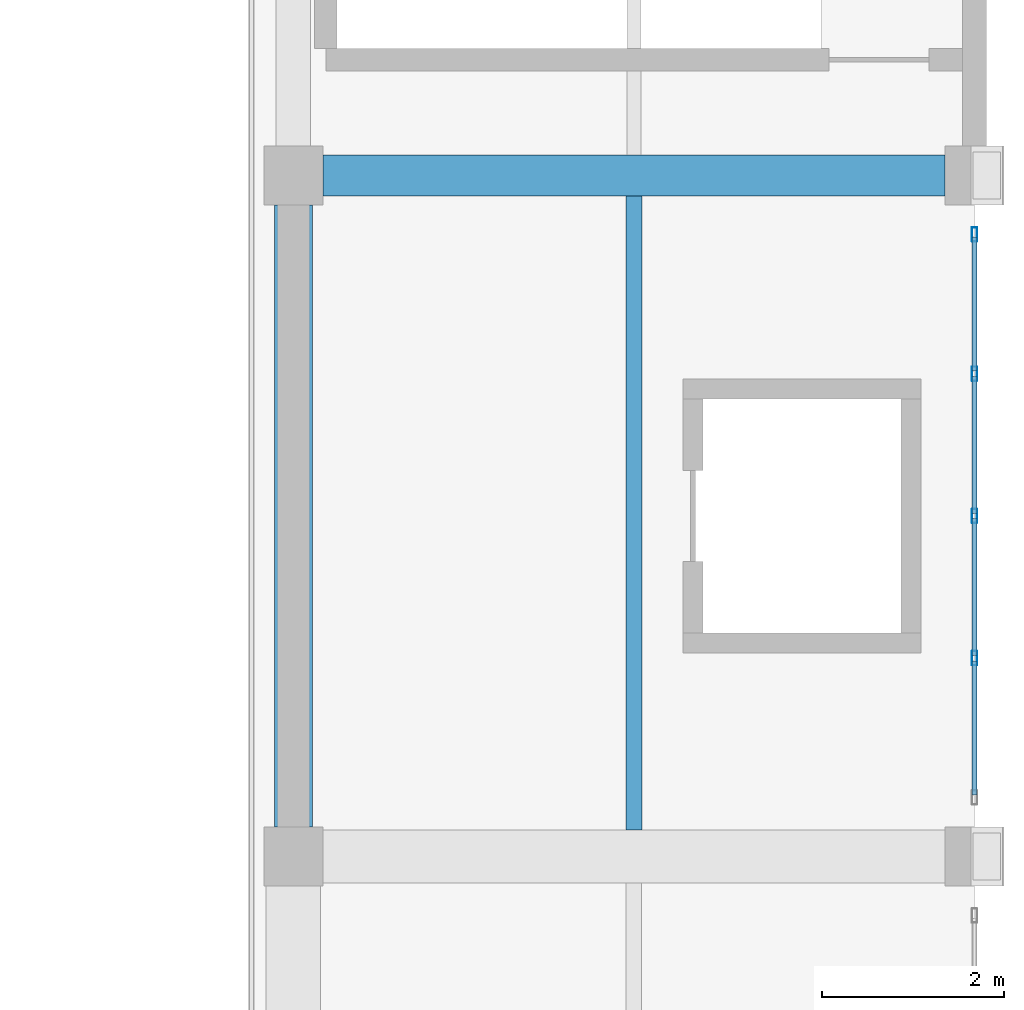
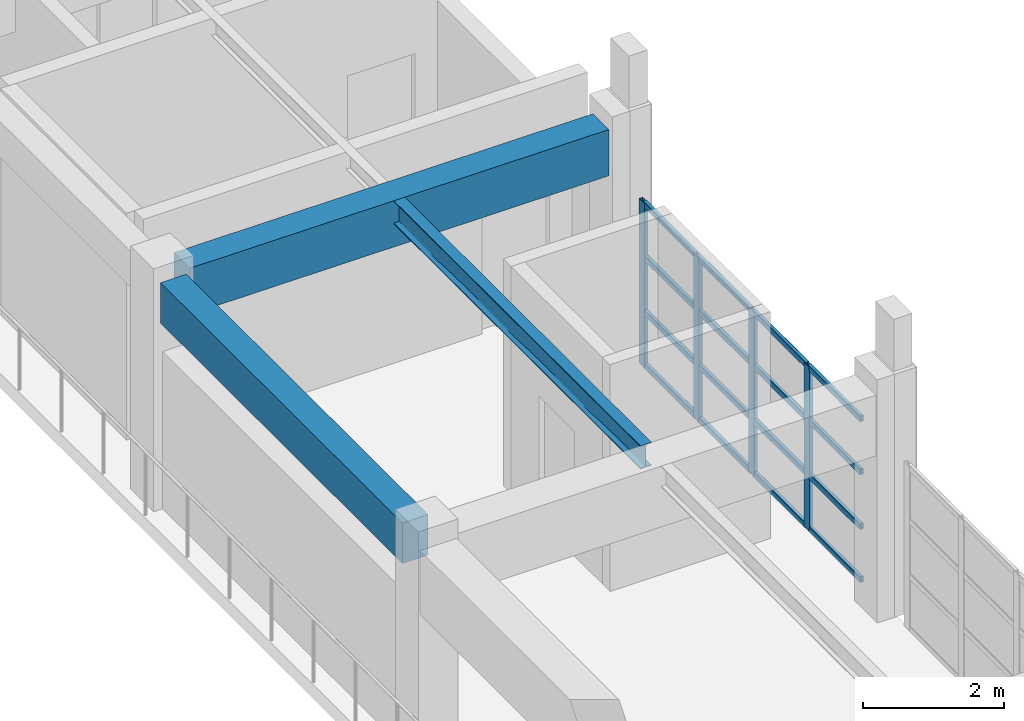
# One storey, part 20 of 51: 20 members, 3 beams, 1 element without a shape of its own.
"""IFC4 building model written with IfcOpenShell, lengths in metres."""

import ifcopenshell
import ifcopenshell.guid

model = None  # the IFC model being written
_history = None  # IfcOwnerHistory: only IFC2X3 demands one
_inside = {}  # id of a spatial element -> (the spatial element, [elements in it])
_under = {}  # id of a project, library or spatial element -> (it, [spatial elements below it])
_declared = {}  # id of a project -> (the project, [libraries it declares])
_typed = {}  # id of a type object -> (the type object, [elements of that type])
_made_of = {}  # id of a material, layer set ... -> (it, [elements and type objects made of it])


def new_model(schema):
    """Start an empty IFC model of exactly this schema.

    Asked for "IFC4X3", IfcOpenShell would pick the latest addendum, in which some entities
    have other attributes; the version numbers below select the first issue.
    IFC2X3 requires an IfcOwnerHistory on every rooted entity: one is made here for all.
    """
    global model, _history
    if schema == "IFC4X3":
        model = ifcopenshell.file(schema_version=(4, 3, 0, 0))
    else:
        model = ifcopenshell.file(schema=schema)
    _inside.clear()
    _under.clear()
    _declared.clear()
    _typed.clear()
    _made_of.clear()
    _history = None
    if model.schema == "IFC2X3":
        org = make("IfcOrganization", Name="unknown")
        user = make(
            "IfcPersonAndOrganization",
            ThePerson=make("IfcPerson", FamilyName="unknown"),
            TheOrganization=org,
        )
        app = make(
            "IfcApplication",
            ApplicationDeveloper=org,
            Version="unknown",
            ApplicationFullName="unknown",
            ApplicationIdentifier="unknown",
        )
        _history = make(
            "IfcOwnerHistory",
            OwningUser=user,
            OwningApplication=app,
            ChangeAction="ADDED",
            CreationDate=0,
        )
    return model


def make(cls, **values):
    """One entity of the class cls with the attributes given. An attribute that is None is left unset."""
    return model.create_entity(
        cls, **{name: value for name, value in values.items() if value is not None}
    )


def rooted(cls, **values):
    """An entity with a GlobalId (a new one), such as an element, a storey or a relation."""
    return make(cls, GlobalId=ifcopenshell.guid.new(), OwnerHistory=_history, **values)


def si_unit(unit_type, name, prefix=None):
    """IfcSIUnit, for example si_unit("LENGTHUNIT", "METRE", prefix="MILLI")."""
    return make("IfcSIUnit", UnitType=unit_type, Prefix=prefix, Name=name)


def assignment(units):
    """IfcUnitAssignment: the units of a project."""
    return None if units is None else make("IfcUnitAssignment", Units=units)


def point(xyz):
    """IfcCartesianPoint."""
    return None if xyz is None else make("IfcCartesianPoint", Coordinates=xyz)


def direction(xyz):
    """IfcDirection."""
    return None if xyz is None else make("IfcDirection", DirectionRatios=xyz)


def frame(location, z_axis=None, x_axis=None):
    """IfcAxis2Placement3D, a coordinate frame: its origin and axes. An axis left out is left unset."""
    return make(
        "IfcAxis2Placement3D",
        Location=point(location),
        Axis=direction(z_axis),
        RefDirection=direction(x_axis),
    )


def frame_2d(location, x_axis=None):
    """IfcAxis2Placement2D, a coordinate frame in the plane: its origin and x axis."""
    return make(
        "IfcAxis2Placement2D", Location=point(location), RefDirection=direction(x_axis)
    )


def origin():
    """The frame at (0, 0, 0) with its axes left unset."""
    return frame((0.0, 0.0, 0.0))


def origin_2d():
    """The frame at (0, 0) in the plane with its x axis left unset."""
    return frame_2d((0.0, 0.0))


def place(relative_to, where):
    """IfcLocalPlacement: puts the frame where relative to a parent placement (None: the world)."""
    return make(
        "IfcLocalPlacement", PlacementRelTo=relative_to, RelativePlacement=where
    )


def context(
    kind, dimensions, precision=None, world=None, true_north=None, identifier=None
):
    """IfcGeometricRepresentationContext, for example the 3D "Model" context."""
    return make(
        "IfcGeometricRepresentationContext",
        ContextIdentifier=identifier,
        ContextType=kind,
        CoordinateSpaceDimension=dimensions,
        Precision=precision,
        WorldCoordinateSystem=world,
        TrueNorth=true_north,
    )


def subcontext(parent, identifier, kind, view, scale=None):
    """IfcGeometricRepresentationSubContext, for example "Body" below "Model"."""
    return make(
        "IfcGeometricRepresentationSubContext",
        ContextIdentifier=identifier,
        ContextType=kind,
        ParentContext=parent,
        TargetScale=scale,
        TargetView=view,
    )


def project(units=None, contexts=None):
    """IfcProject with its units and contexts."""
    return rooted(
        "IfcProject",
        Name="project",
        RepresentationContexts=contexts,
        UnitsInContext=assignment(units),
    )


def spatial(cls, under=None, at=None, **own):
    """A site, building, storey or space (cls), placed at a placement, below another one or the project."""
    s = rooted(cls, ObjectPlacement=at, **own)
    if under is not None:
        _under.setdefault(under.id(), (under, []))[1].append(s)
    return s


def profile(cls, at=None, kind="AREA", **sizes):
    """A parametric profile (cls). Its sizes go by their IFC names, for example OverallWidth=200.0."""
    return make(cls, ProfileType=kind, Position=at, **sizes)


def rectangle(**sizes):
    """IfcRectangleProfileDef."""
    return profile("IfcRectangleProfileDef", **sizes)


def hollow_rectangle(**sizes):
    """IfcRectangleHollowProfileDef."""
    return profile("IfcRectangleHollowProfileDef", **sizes)


def i_section(**sizes):
    """IfcIShapeProfileDef."""
    return profile("IfcIShapeProfileDef", **sizes)


def extrude(swept, where, along, depth):
    """IfcExtrudedAreaSolid: the profile swept, set in the frame where, extruded along a direction by depth."""
    return make(
        "IfcExtrudedAreaSolid",
        SweptArea=swept,
        Position=where,
        ExtrudedDirection=direction(along),
        Depth=depth,
    )


def shape(context_of_items, identifier, shape_type, items):
    """IfcShapeRepresentation: the items that make up one representation, for example the "Body"."""
    return make(
        "IfcShapeRepresentation",
        ContextOfItems=context_of_items,
        RepresentationIdentifier=identifier,
        RepresentationType=shape_type,
        Items=items,
    )


def material(Name=None, Category=None):
    """IfcMaterial."""
    return make("IfcMaterial", Name=Name, Category=Category)


def material_profile(
    of_material, cross_section, Name=None, Category=None, Priority=None
):
    """IfcMaterialProfile: a cross section and its material."""
    return make(
        "IfcMaterialProfile",
        Name=Name,
        Material=of_material,
        Profile=cross_section,
        Priority=Priority,
        Category=Category,
    )


def profile_set(profiles, Name=None, composite=None):
    """IfcMaterialProfileSet."""
    return make(
        "IfcMaterialProfileSet",
        Name=Name,
        MaterialProfiles=profiles,
        CompositeProfile=composite,
    )


def made_of(thing, what):
    """Note that an element or type object is made of a material, layer set ...; save() writes the relation."""
    if what is not None:
        _made_of.setdefault(what.id(), (what, []))[1].append(thing)
    return thing


def type_object(cls, material=None, **own):
    """A type object (cls), such as IfcWallType, which elements share."""
    return made_of(rooted(cls, **own), material)


def element(
    cls,
    number,
    at=None,
    inside=None,
    cuts=None,
    type_object=None,
    material=None,
    context=None,
    identifier="Body",
    shape_type=None,
    held_by="IfcProductDefinitionShape",
    body=None,
    shapes=None,
    **own,
):
    """One element of the class cls, such as IfcWall. Its Tag is "e" and its number.

    at: its placement. inside: the storey or other place that contains it. cuts: it is an
    opening in that element (IfcRelVoidsElement). A single representation is given by context,
    identifier, shape_type and body (its items); several are given by shapes. held_by: the class
    of the entity that holds the representations. save() writes the other relations.
    """
    e = rooted(cls, Tag="e%d" % number, ObjectPlacement=at, **own)
    if body is not None:
        shapes = [shape(context, identifier, shape_type, body)]
    if shapes is not None:
        e.Representation = make(held_by, Representations=shapes)
    if inside is not None:
        _inside.setdefault(inside.id(), (inside, []))[1].append(e)
    if cuts is not None:
        rooted(
            "IfcRelVoidsElement", RelatingBuildingElement=cuts, RelatedOpeningElement=e
        )
    if type_object is not None:
        _typed.setdefault(type_object.id(), (type_object, []))[1].append(e)
    return made_of(e, material)


def aggregate(whole, parts):
    """IfcRelAggregates: a whole, such as a stair, and the parts it consists of."""
    return rooted("IfcRelAggregates", RelatingObject=whole, RelatedObjects=parts)


def save(model, path):
    """Write the relations noted so far, then the file.

    IfcRelAggregates (storeys below a building ...), IfcRelContainedInSpatialStructure (elements
    in a storey), IfcRelDefinesByType, IfcRelAssociatesMaterial and IfcRelDeclares: one each for
    every whole, place, type object, material and project.
    """
    for whole, parts in _under.values():
        aggregate(whole, parts)
    for where, things in _inside.values():
        rooted(
            "IfcRelContainedInSpatialStructure",
            RelatedElements=things,
            RelatingStructure=where,
        )
    for kind, things in _typed.values():
        rooted("IfcRelDefinesByType", RelatedObjects=things, RelatingType=kind)
    for what, things in _made_of.values():
        rooted("IfcRelAssociatesMaterial", RelatedObjects=things, RelatingMaterial=what)
    for by, libraries in _declared.values():
        rooted("IfcRelDeclares", RelatingContext=by, RelatedDefinitions=libraries)
    model.write(path)


model = new_model("IFC4")

# Units and contexts
model_context = context("Model", 3, precision=1e-05, world=origin(), true_north=direction((0.0, 1.0)))
body_context = subcontext(model_context, "Body", "Model", "MODEL_VIEW")
ifc_project = project(units=[si_unit("LENGTHUNIT", "METRE"), si_unit("AREAUNIT", "SQUARE_METRE"), si_unit("VOLUMEUNIT", "CUBIC_METRE"), si_unit("PLANEANGLEUNIT", "RADIAN"), si_unit("MASSUNIT", "GRAM", prefix="KILO")], contexts=[model_context])

# Site, building, storey
site_placement = place(None, origin())
site = spatial("IfcSite", under=ifc_project, at=site_placement, CompositionType="ELEMENT")
building_placement = place(site_placement, origin())
building = spatial("IfcBuilding", under=site, at=building_placement, Name="Qasida Concert Hall", CompositionType="ELEMENT")
storey_placement = place(building_placement, frame((0.0, 0.0, 21.0)))
storey = spatial("IfcBuildingStorey", under=building, at=storey_placement, Name="L05", CompositionType="ELEMENT", Elevation=21.0)

# Beams
ifc_material_1 = material(Name="Concrete C40/50", Category="concrete")
ifc_material_profile_1 = material_profile(ifc_material_1, rectangle(XDim=0.419921875, YDim=0.699951171875, at=origin_2d()), Name="RC 420x700")
ifc_profile_set_1 = profile_set([ifc_material_profile_1], Name="Concrete C40/50")
beam_type_1 = type_object("IfcBeamType", Name="BM-B11", PredefinedType="BEAM", material=ifc_profile_set_1)
beam_1_placement = place(storey_placement, frame((97.5, 37.824951171875, 3.570068359375), z_axis=(0.0, 1.0, 0.0), x_axis=(-1.0, 0.0, 0.0)))
element("IfcBeam", 1, at=beam_1_placement, inside=storey, type_object=beam_type_1, Name="L05 girder 2021", PredefinedType="BEAM", context=body_context, shape_type="SweptSolid", body=[
    extrude(rectangle(XDim=0.419921875, YDim=0.699951171875, at=origin_2d()), origin(), (0.0, 0.0, 1.0), 6.85009765625),
])
ifc_material_profile_2 = material_profile(ifc_material_1, rectangle(XDim=0.449951171875, YDim=0.800048828125, at=origin_2d()), Name="RC 450x800")
ifc_profile_set_2 = profile_set([ifc_material_profile_2], Name="Concrete C40/50")
beam_type_2 = type_object("IfcBeamType", Name="BM-G2", PredefinedType="USERDEFINED", material=ifc_profile_set_2)
beam_2_placement = place(storey_placement, frame((97.824951171875, 45.0, 3.52001953125), z_axis=(1.0, 0.0, 0.0), x_axis=(0.0, 1.0, 0.0)))
element("IfcBeam", 2, at=beam_2_placement, inside=storey, type_object=beam_type_2, Name="Primary girder 1995", ObjectType="GIRDER", PredefinedType="USERDEFINED", context=body_context, shape_type="SweptSolid", body=[
    extrude(rectangle(XDim=0.449951171875, YDim=0.800048828125, at=origin_2d()), origin(), (0.0, 0.0, 1.0), 6.85009765625),
])
ifc_material_2 = material(Name="Steel S355J2", Category="steel")
ifc_material_profile_3 = material_profile(ifc_material_2, i_section(OverallWidth=0.179931640625, OverallDepth=0.39990234375, WebThickness=0.008544921875, FlangeThickness=0.013427734375, FilletRadius=0.02099609375, at=origin_2d()), Name="IPE 400")
ifc_profile_set_3 = profile_set([ifc_material_profile_3], Name="Steel S355J2")
beam_type_3 = type_object("IfcBeamType", Name="BM-J3", PredefinedType="JOIST", material=ifc_profile_set_3)
beam_3_placement = place(storey_placement, frame((101.25, 37.7900390625, 3.719970703125), z_axis=(0.0, 1.0, 0.0), x_axis=(-1.0, 0.0, 0.0)))
element("IfcBeam", 3, at=beam_3_placement, inside=storey, type_object=beam_type_3, Name="L05 secondary joist 2034", PredefinedType="JOIST", context=body_context, shape_type="SweptSolid", body=[
    extrude(i_section(OverallWidth=0.179931640625, OverallDepth=0.39990234375, WebThickness=0.008544921875, FlangeThickness=0.013427734375, FilletRadius=0.02099609375, at=origin_2d()), origin(), (0.0, 0.0, 1.0), 6.98486328125),
])

# Curtain wall, members
ifc_material_3 = material(Name="Architectural bronze-anodized aluminium and low-E glass", Category="aluminium")
curtain_wall_type = type_object("IfcCurtainWallType", Name="CW-05", PredefinedType="NOTDEFINED", material=ifc_material_3)
curtain_wall_placement = place(storey_placement, origin())
curtain_wall = element("IfcCurtainWall", 4, at=curtain_wall_placement, inside=storey, type_object=curtain_wall_type, Name="L05 curtain wall CW-05 0065", PredefinedType="NOTDEFINED")
ifc_material_4 = material(Name="Architectural bronze-anodized aluminium EN AW-6063", Category="aluminium")
ifc_material_profile_4 = material_profile(ifc_material_4, hollow_rectangle(XDim=0.06005859375, YDim=0.159912109375, WallThickness=0.00390625, InnerFilletRadius=0.00390625, OuterFilletRadius=0.008056640625, at=origin_2d()), Name="CWM 160x60x4")
ifc_profile_set_4 = profile_set([ifc_material_profile_4], Name="Architectural bronze-anodized aluminium EN AW-6063")
member_type_1 = type_object("IfcMemberType", Name="MB-CWM-3", PredefinedType="MULLION", material=ifc_profile_set_4)
member_1_placement = place(storey_placement, frame((105.0, 39.68505859375, 0.0), z_axis=(0.0, 0.0, 1.0), x_axis=(-1.0, 0.0, 0.0)))
member_1 = element("IfcMember", 5, at=member_1_placement, type_object=member_type_1, Name="CW-05 mullion 2", PredefinedType="MULLION", context=body_context, shape_type="SweptSolid", body=[
    extrude(hollow_rectangle(XDim=0.06005859375, YDim=0.159912109375, WallThickness=0.00390625, InnerFilletRadius=0.00390625, OuterFilletRadius=0.008056640625, at=origin_2d()), origin(), (0.0, 0.0, 1.0), 2.840087890625),
])
member_2_placement = place(storey_placement, frame((105.0, 41.25, 0.0), z_axis=(0.0, 0.0, 1.0), x_axis=(-1.0, 0.0, 0.0)))
member_2 = element("IfcMember", 6, at=member_2_placement, type_object=member_type_1, Name="CW-05 mullion 3", PredefinedType="MULLION", context=body_context, shape_type="SweptSolid", body=[
    extrude(hollow_rectangle(XDim=0.06005859375, YDim=0.159912109375, WallThickness=0.00390625, InnerFilletRadius=0.00390625, OuterFilletRadius=0.008056640625, at=origin_2d()), origin(), (0.0, 0.0, 1.0), 2.840087890625),
])
member_3_placement = place(storey_placement, frame((105.0, 42.81494140625, 0.0), z_axis=(0.0, 0.0, 1.0), x_axis=(-1.0, 0.0, 0.0)))
member_3 = element("IfcMember", 7, at=member_3_placement, type_object=member_type_1, Name="CW-05 mullion 4", PredefinedType="MULLION", context=body_context, shape_type="SweptSolid", body=[
    extrude(hollow_rectangle(XDim=0.06005859375, YDim=0.159912109375, WallThickness=0.00390625, InnerFilletRadius=0.00390625, OuterFilletRadius=0.008056640625, at=origin_2d()), origin(), (0.0, 0.0, 1.0), 2.840087890625),
])
member_4_placement = place(storey_placement, frame((105.0, 44.35009765625, 0.0), z_axis=(0.0, 0.0, 1.0), x_axis=(-1.0, 0.0, 0.0)))
member_4 = element("IfcMember", 8, at=member_4_placement, type_object=member_type_1, Name="CW-05 mullion 5", PredefinedType="MULLION", context=body_context, shape_type="SweptSolid", body=[
    extrude(hollow_rectangle(XDim=0.06005859375, YDim=0.159912109375, WallThickness=0.00390625, InnerFilletRadius=0.00390625, OuterFilletRadius=0.008056640625, at=origin_2d()), origin(), (0.0, 0.0, 1.0), 2.840087890625),
])
ifc_material_profile_5 = material_profile(ifc_material_4, hollow_rectangle(XDim=0.06005859375, YDim=0.10009765625, WallThickness=0.00341796875, InnerFilletRadius=0.00341796875, OuterFilletRadius=0.007080078125, at=origin_2d()), Name="CWT 100x60x3.5")
ifc_profile_set_5 = profile_set([ifc_material_profile_5], Name="Architectural bronze-anodized aluminium EN AW-6063")
member_type_2 = type_object("IfcMemberType", Name="MB-CWT-3", PredefinedType="USERDEFINED", material=ifc_profile_set_5)
member_5_placement = place(storey_placement, frame((105.0, 38.179931640625, 0.030029296875), z_axis=(0.0, 1.0, 0.0), x_axis=(-1.0, 0.0, 0.0)))
member_5 = element("IfcMember", 9, at=member_5_placement, type_object=member_type_2, Name="CW-05 transom 1.1", ObjectType="TRANSOM", PredefinedType="USERDEFINED", context=body_context, shape_type="SweptSolid", body=[
    extrude(hollow_rectangle(XDim=0.06005859375, YDim=0.10009765625, WallThickness=0.00341796875, InnerFilletRadius=0.00341796875, OuterFilletRadius=0.007080078125, at=origin_2d()), origin(), (0.0, 0.0, 1.0), 1.47509765625),
])
member_6_placement = place(storey_placement, frame((105.0, 38.179931640625, 0.94677734375), z_axis=(0.0, 1.0, 0.0), x_axis=(-1.0, 0.0, 0.0)))
member_6 = element("IfcMember", 10, at=member_6_placement, type_object=member_type_2, Name="CW-05 transom 1.2", ObjectType="TRANSOM", PredefinedType="USERDEFINED", context=body_context, shape_type="SweptSolid", body=[
    extrude(hollow_rectangle(XDim=0.06005859375, YDim=0.10009765625, WallThickness=0.00341796875, InnerFilletRadius=0.00341796875, OuterFilletRadius=0.007080078125, at=origin_2d()), origin(), (0.0, 0.0, 1.0), 1.47509765625),
])
member_7_placement = place(storey_placement, frame((105.0, 38.179931640625, 1.893310546875), z_axis=(0.0, 1.0, 0.0), x_axis=(-1.0, 0.0, 0.0)))
member_7 = element("IfcMember", 11, at=member_7_placement, type_object=member_type_2, Name="CW-05 transom 1.3", ObjectType="TRANSOM", PredefinedType="USERDEFINED", context=body_context, shape_type="SweptSolid", body=[
    extrude(hollow_rectangle(XDim=0.06005859375, YDim=0.10009765625, WallThickness=0.00341796875, InnerFilletRadius=0.00341796875, OuterFilletRadius=0.007080078125, at=origin_2d()), origin(), (0.0, 0.0, 1.0), 1.47509765625),
])
member_8_placement = place(storey_placement, frame((105.0, 38.179931640625, 2.81005859375), z_axis=(0.0, 1.0, 0.0), x_axis=(-1.0, 0.0, 0.0)))
member_8 = element("IfcMember", 12, at=member_8_placement, type_object=member_type_2, Name="CW-05 transom 1.4", ObjectType="TRANSOM", PredefinedType="USERDEFINED", context=body_context, shape_type="SweptSolid", body=[
    extrude(hollow_rectangle(XDim=0.06005859375, YDim=0.10009765625, WallThickness=0.00341796875, InnerFilletRadius=0.00341796875, OuterFilletRadius=0.007080078125, at=origin_2d()), origin(), (0.0, 0.0, 1.0), 1.47509765625),
])
member_9_placement = place(storey_placement, frame((105.0, 39.715087890625, 0.030029296875), z_axis=(0.0, 1.0, 0.0), x_axis=(-1.0, 0.0, 0.0)))
member_9 = element("IfcMember", 13, at=member_9_placement, type_object=member_type_2, Name="CW-05 transom 2.1", ObjectType="TRANSOM", PredefinedType="USERDEFINED", context=body_context, shape_type="SweptSolid", body=[
    extrude(hollow_rectangle(XDim=0.06005859375, YDim=0.10009765625, WallThickness=0.00341796875, InnerFilletRadius=0.00341796875, OuterFilletRadius=0.007080078125, at=origin_2d()), origin(), (0.0, 0.0, 1.0), 1.5048828125),
])
member_10_placement = place(storey_placement, frame((105.0, 39.715087890625, 0.94677734375), z_axis=(0.0, 1.0, 0.0), x_axis=(-1.0, 0.0, 0.0)))
member_10 = element("IfcMember", 14, at=member_10_placement, type_object=member_type_2, Name="CW-05 transom 2.2", ObjectType="TRANSOM", PredefinedType="USERDEFINED", context=body_context, shape_type="SweptSolid", body=[
    extrude(hollow_rectangle(XDim=0.06005859375, YDim=0.10009765625, WallThickness=0.00341796875, InnerFilletRadius=0.00341796875, OuterFilletRadius=0.007080078125, at=origin_2d()), origin(), (0.0, 0.0, 1.0), 1.5048828125),
])
member_11_placement = place(storey_placement, frame((105.0, 39.715087890625, 1.893310546875), z_axis=(0.0, 1.0, 0.0), x_axis=(-1.0, 0.0, 0.0)))
member_11 = element("IfcMember", 15, at=member_11_placement, type_object=member_type_2, Name="CW-05 transom 2.3", ObjectType="TRANSOM", PredefinedType="USERDEFINED", context=body_context, shape_type="SweptSolid", body=[
    extrude(hollow_rectangle(XDim=0.06005859375, YDim=0.10009765625, WallThickness=0.00341796875, InnerFilletRadius=0.00341796875, OuterFilletRadius=0.007080078125, at=origin_2d()), origin(), (0.0, 0.0, 1.0), 1.5048828125),
])
member_12_placement = place(storey_placement, frame((105.0, 39.715087890625, 2.81005859375), z_axis=(0.0, 1.0, 0.0), x_axis=(-1.0, 0.0, 0.0)))
member_12 = element("IfcMember", 16, at=member_12_placement, type_object=member_type_2, Name="CW-05 transom 2.4", ObjectType="TRANSOM", PredefinedType="USERDEFINED", context=body_context, shape_type="SweptSolid", body=[
    extrude(hollow_rectangle(XDim=0.06005859375, YDim=0.10009765625, WallThickness=0.00341796875, InnerFilletRadius=0.00341796875, OuterFilletRadius=0.007080078125, at=origin_2d()), origin(), (0.0, 0.0, 1.0), 1.5048828125),
])
member_13_placement = place(storey_placement, frame((105.0, 41.280029296875, 0.030029296875), z_axis=(0.0, 1.0, 0.0), x_axis=(-1.0, 0.0, 0.0)))
member_13 = element("IfcMember", 17, at=member_13_placement, type_object=member_type_2, Name="CW-05 transom 3.1", ObjectType="TRANSOM", PredefinedType="USERDEFINED", context=body_context, shape_type="SweptSolid", body=[
    extrude(hollow_rectangle(XDim=0.06005859375, YDim=0.10009765625, WallThickness=0.00341796875, InnerFilletRadius=0.00341796875, OuterFilletRadius=0.007080078125, at=origin_2d()), origin(), (0.0, 0.0, 1.0), 1.5048828125),
])
member_14_placement = place(storey_placement, frame((105.0, 41.280029296875, 0.94677734375), z_axis=(0.0, 1.0, 0.0), x_axis=(-1.0, 0.0, 0.0)))
member_14 = element("IfcMember", 18, at=member_14_placement, type_object=member_type_2, Name="CW-05 transom 3.2", ObjectType="TRANSOM", PredefinedType="USERDEFINED", context=body_context, shape_type="SweptSolid", body=[
    extrude(hollow_rectangle(XDim=0.06005859375, YDim=0.10009765625, WallThickness=0.00341796875, InnerFilletRadius=0.00341796875, OuterFilletRadius=0.007080078125, at=origin_2d()), origin(), (0.0, 0.0, 1.0), 1.5048828125),
])
member_15_placement = place(storey_placement, frame((105.0, 41.280029296875, 1.893310546875), z_axis=(0.0, 1.0, 0.0), x_axis=(-1.0, 0.0, 0.0)))
member_15 = element("IfcMember", 19, at=member_15_placement, type_object=member_type_2, Name="CW-05 transom 3.3", ObjectType="TRANSOM", PredefinedType="USERDEFINED", context=body_context, shape_type="SweptSolid", body=[
    extrude(hollow_rectangle(XDim=0.06005859375, YDim=0.10009765625, WallThickness=0.00341796875, InnerFilletRadius=0.00341796875, OuterFilletRadius=0.007080078125, at=origin_2d()), origin(), (0.0, 0.0, 1.0), 1.5048828125),
])
member_16_placement = place(storey_placement, frame((105.0, 41.280029296875, 2.81005859375), z_axis=(0.0, 1.0, 0.0), x_axis=(-1.0, 0.0, 0.0)))
member_16 = element("IfcMember", 20, at=member_16_placement, type_object=member_type_2, Name="CW-05 transom 3.4", ObjectType="TRANSOM", PredefinedType="USERDEFINED", context=body_context, shape_type="SweptSolid", body=[
    extrude(hollow_rectangle(XDim=0.06005859375, YDim=0.10009765625, WallThickness=0.00341796875, InnerFilletRadius=0.00341796875, OuterFilletRadius=0.007080078125, at=origin_2d()), origin(), (0.0, 0.0, 1.0), 1.5048828125),
])
member_17_placement = place(storey_placement, frame((105.0, 42.844970703125, 0.030029296875), z_axis=(0.0, 1.0, 0.0), x_axis=(-1.0, 0.0, 0.0)))
member_17 = element("IfcMember", 21, at=member_17_placement, type_object=member_type_2, Name="CW-05 transom 4.1", ObjectType="TRANSOM", PredefinedType="USERDEFINED", context=body_context, shape_type="SweptSolid", body=[
    extrude(hollow_rectangle(XDim=0.06005859375, YDim=0.10009765625, WallThickness=0.00341796875, InnerFilletRadius=0.00341796875, OuterFilletRadius=0.007080078125, at=origin_2d()), origin(), (0.0, 0.0, 1.0), 1.47509765625),
])
member_18_placement = place(storey_placement, frame((105.0, 42.844970703125, 0.94677734375), z_axis=(0.0, 1.0, 0.0), x_axis=(-1.0, 0.0, 0.0)))
member_18 = element("IfcMember", 22, at=member_18_placement, type_object=member_type_2, Name="CW-05 transom 4.2", ObjectType="TRANSOM", PredefinedType="USERDEFINED", context=body_context, shape_type="SweptSolid", body=[
    extrude(hollow_rectangle(XDim=0.06005859375, YDim=0.10009765625, WallThickness=0.00341796875, InnerFilletRadius=0.00341796875, OuterFilletRadius=0.007080078125, at=origin_2d()), origin(), (0.0, 0.0, 1.0), 1.47509765625),
])
member_19_placement = place(storey_placement, frame((105.0, 42.844970703125, 1.893310546875), z_axis=(0.0, 1.0, 0.0), x_axis=(-1.0, 0.0, 0.0)))
member_19 = element("IfcMember", 23, at=member_19_placement, type_object=member_type_2, Name="CW-05 transom 4.3", ObjectType="TRANSOM", PredefinedType="USERDEFINED", context=body_context, shape_type="SweptSolid", body=[
    extrude(hollow_rectangle(XDim=0.06005859375, YDim=0.10009765625, WallThickness=0.00341796875, InnerFilletRadius=0.00341796875, OuterFilletRadius=0.007080078125, at=origin_2d()), origin(), (0.0, 0.0, 1.0), 1.47509765625),
])
member_20_placement = place(storey_placement, frame((105.0, 42.844970703125, 2.81005859375), z_axis=(0.0, 1.0, 0.0), x_axis=(-1.0, 0.0, 0.0)))
member_20 = element("IfcMember", 24, at=member_20_placement, type_object=member_type_2, Name="CW-05 transom 4.4", ObjectType="TRANSOM", PredefinedType="USERDEFINED", context=body_context, shape_type="SweptSolid", body=[
    extrude(hollow_rectangle(XDim=0.06005859375, YDim=0.10009765625, WallThickness=0.00341796875, InnerFilletRadius=0.00341796875, OuterFilletRadius=0.007080078125, at=origin_2d()), origin(), (0.0, 0.0, 1.0), 1.47509765625),
])
aggregate(curtain_wall, [member_1, member_2, member_3, member_4, member_5, member_6, member_7, member_8, member_9, member_10, member_11, member_12, member_13, member_14, member_15, member_16, member_17, member_18, member_19, member_20])

save(model, "model.ifc")
